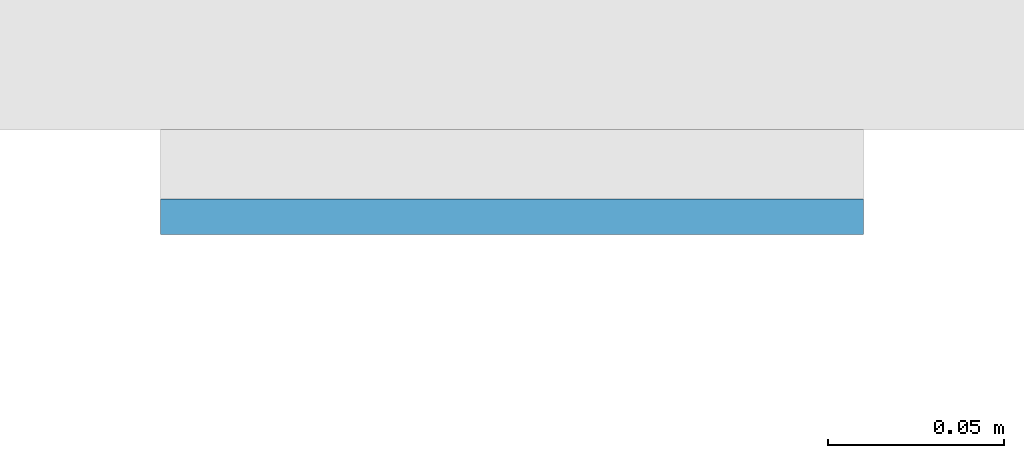
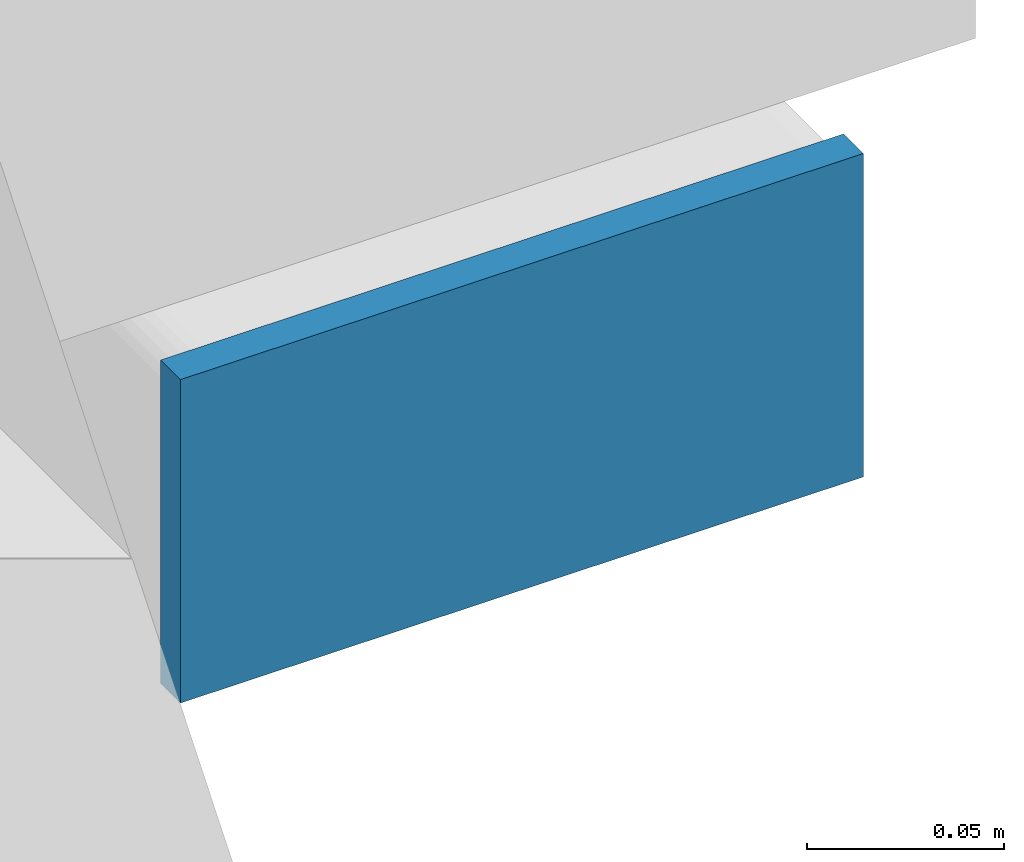
# One storey, part 5 of 12: 1 plate.
"""IFC4 building model written with IfcOpenShell, lengths in metres."""

from ifc_helpers import new_model, si_unit, direction, frame, origin, origin_2d, place, context, subcontext, project, spatial, rectangle, extrude, material, layer, layer_set, type_object, element, save


model = new_model("IFC4")

# Units and contexts
model_context = context("Model", 3, precision=1e-05, world=origin(), true_north=direction((0.0, 1.0)))
body_context = subcontext(model_context, "Body", "Model", "MODEL_VIEW")
ifc_project = project(units=[si_unit("LENGTHUNIT", "METRE"), si_unit("AREAUNIT", "SQUARE_METRE"), si_unit("VOLUMEUNIT", "CUBIC_METRE"), si_unit("PLANEANGLEUNIT", "RADIAN"), si_unit("MASSUNIT", "GRAM", prefix="KILO")], contexts=[model_context])

# Site, building, storey
site_placement = place(None, origin())
site = spatial("IfcSite", under=ifc_project, at=site_placement, CompositionType="ELEMENT")
building_placement = place(site_placement, origin())
building = spatial("IfcBuilding", under=site, at=building_placement, Name="Cleftline Residences", CompositionType="ELEMENT")
storey_placement = place(building_placement, frame((0.0, 0.0, 237.60009765625)))
storey = spatial("IfcBuildingStorey", under=building, at=storey_placement, Name="L62", CompositionType="ELEMENT", Elevation=237.60009765625)

# Plate
ifc_material = material(Name="Steel S355, hot-dip galvanised", Category="steel")
ifc_layer = layer(ifc_material, 0.010009765625)
ifc_layer_set = layer_set([ifc_layer], Name="BAGUETTE CARRIER END PLATE 200X100X10")
plate_type = type_object("IfcPlateType", Name="BAGUETTE CARRIER END PLATE 200X100X10", PredefinedType="USERDEFINED", material=ifc_layer_set)
plate_placement = place(storey_placement, frame((66.85009765625, 3.695068359375, -0.10009765625), z_axis=(0.0, 0.0, 1.0), x_axis=(1.0, 0.0, 0.0)))
element("IfcPlate", 1, at=plate_placement, inside=storey, type_object=plate_type, Name="Baguette carrier end plate", ObjectType="BAGUETTE CARRIER END PLATE", PredefinedType="USERDEFINED", context=body_context, shape_type="SweptSolid", body=[
    extrude(rectangle(XDim=0.199951171875, YDim=0.010009765625, at=origin_2d()), origin(), (0.0, 0.0, 1.0), 0.10009765625),
])

save(model, "model.ifc")
